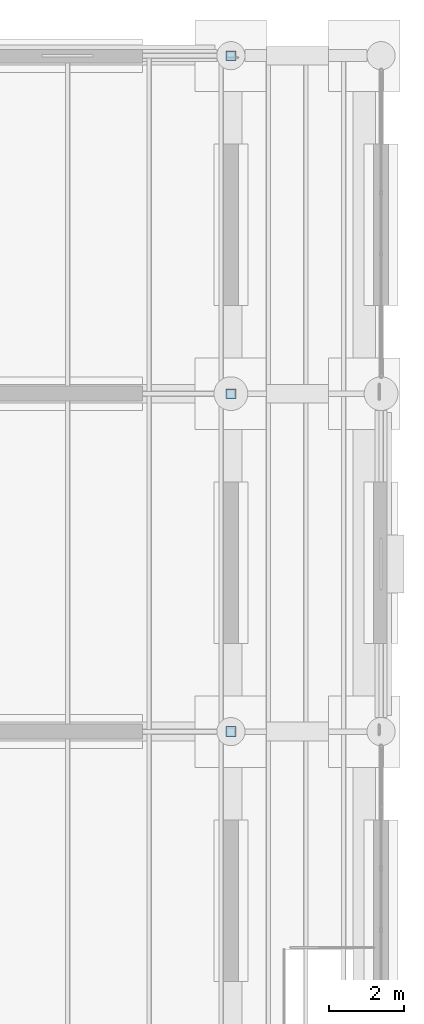
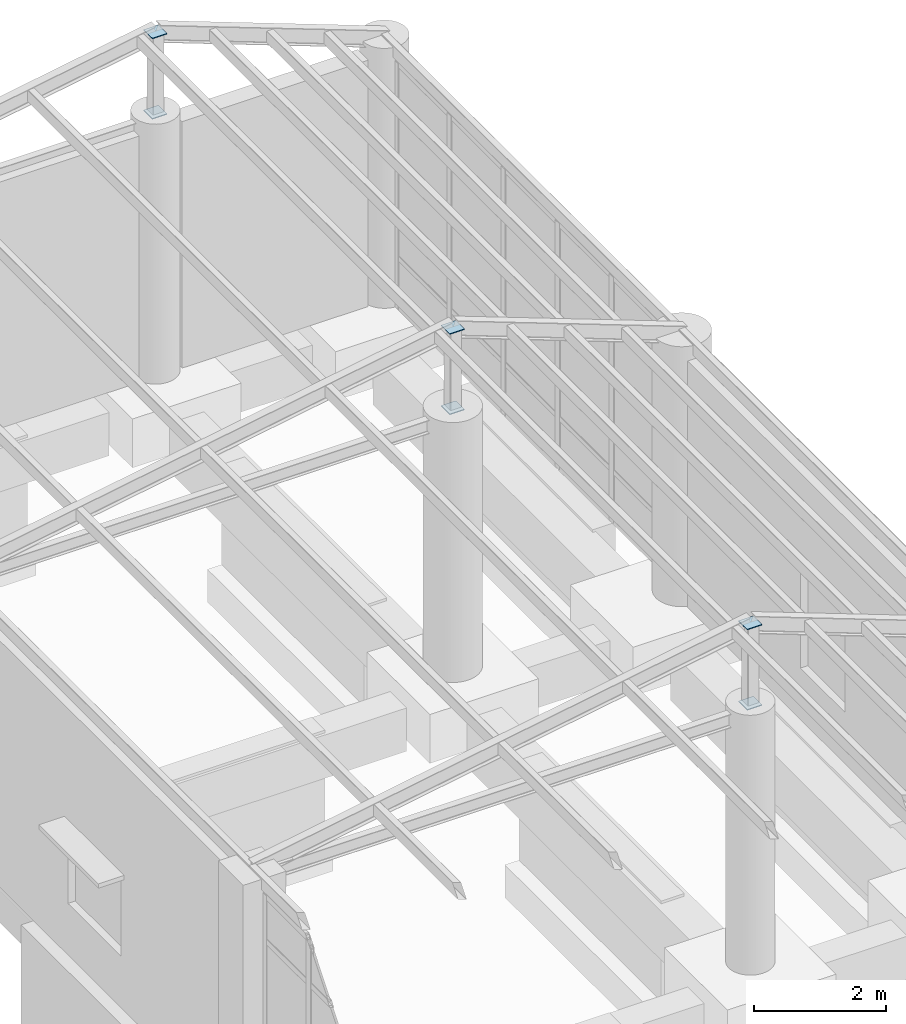
# One storey, part 82 of 111: 6 plates.
"""IFC4 building model written with IfcOpenShell, lengths in metres."""

from ifc_helpers import new_model, si_unit, direction, frame, origin, origin_2d, place, context, subcontext, project, spatial, rectangle, extrude, material, layer, layer_set, type_object, element, save


model = new_model("IFC4")

# Units and contexts
model_context = context("Model", 3, precision=1e-05, world=origin(), true_north=direction((0.0, 1.0)))
body_context = subcontext(model_context, "Body", "Model", "MODEL_VIEW")
ifc_project = project(units=[si_unit("LENGTHUNIT", "METRE"), si_unit("AREAUNIT", "SQUARE_METRE"), si_unit("VOLUMEUNIT", "CUBIC_METRE"), si_unit("PLANEANGLEUNIT", "RADIAN"), si_unit("MASSUNIT", "GRAM", prefix="KILO")], contexts=[model_context])

# Site, building, storey
site_placement = place(None, origin())
site = spatial("IfcSite", under=ifc_project, at=site_placement, CompositionType="ELEMENT")
building_placement = place(site_placement, origin())
building = spatial("IfcBuilding", under=site, at=building_placement, Name="Canglan Escarpment Cableway Terminal", CompositionType="ELEMENT")
storey_placement = place(building_placement, frame((0.0, 0.0, 4.800048828125)))
storey = spatial("IfcBuildingStorey", under=building, at=storey_placement, Name="L01", CompositionType="ELEMENT", Elevation=4.800048828125)

# Plates
ifc_material = material(Name="Steel Q355B", Category="steel")
ifc_layer = layer(ifc_material, 0.01611328125, Name="Steel Q355B")
ifc_layer_set = layer_set([ifc_layer], Name="Steel Q355B")
plate_type = type_object("IfcPlateType", Name="PLT-GUSSET-16", PredefinedType="USERDEFINED", material=ifc_layer_set)
for number, where, z_axis, x_axis, name in (
    (1, (176.0, 106.0, 4.75), (0.0, 0.0, 1.0), (1.0, 0.0, 0.0), "Colonnade kingpost end connection plate GP-03"),
    (2, (176.0, 106.0, 6.23388671875), (0.0, 0.0, 1.0), (1.0, 0.0, 0.0), "Colonnade kingpost end connection plate GP-03"),
    (3, (176.0, 115.0, 4.75), (0.0, 0.0, 1.0), (1.0, 0.0, 0.0), "Colonnade kingpost end connection plate GP-03"),
    (4, (176.0, 115.0, 6.23388671875), (0.0, 0.0, 1.0), (1.0, 0.0, 0.0), "Colonnade kingpost end connection plate GP-03"),
    (5, (176.0, 124.0, 4.75), (0.0, 0.0, 1.0), (1.0, 0.0, 0.0), "Colonnade kingpost end connection plate GP-03"),
    (6, (176.0, 124.0, 6.23388671875), (0.0, 0.0, 1.0), (1.0, 0.0, 0.0), "Colonnade kingpost end connection plate GP-03"),
):
    element("IfcPlate", number, at=place(storey_placement, frame(where, z_axis=z_axis, x_axis=x_axis)), inside=storey, type_object=plate_type, Name=name, ObjectType="GUSSET PLATE", PredefinedType="USERDEFINED", context=body_context, shape_type="SweptSolid", body=[
        extrude(rectangle(XDim=0.260009765625, YDim=0.260009765625, at=origin_2d()), origin(), (0.0, 0.0, 1.0), 0.01611328125),
    ])

save(model, "model.ifc")
